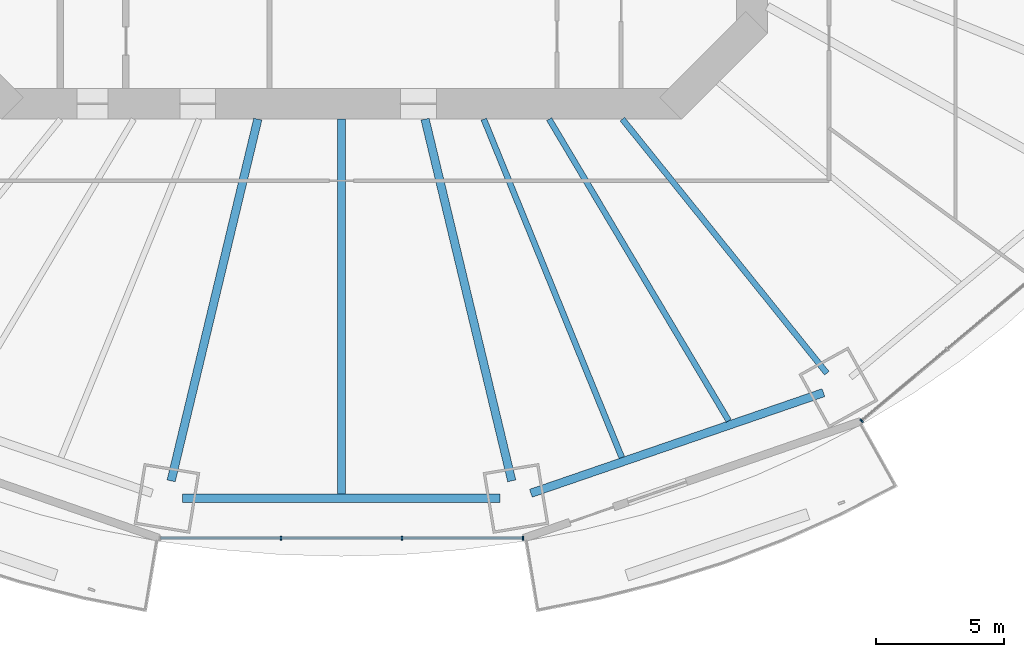
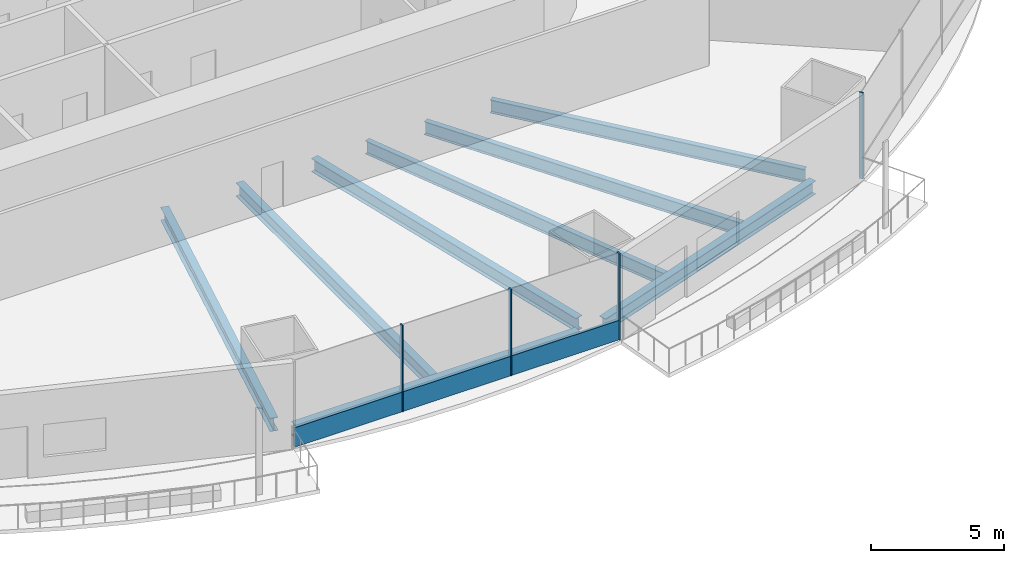
# One storey, part 4 of 23: 8 beams, 5 members, 2 elements without a shape of their own.
"""IFC4 building model written with IfcOpenShell, lengths in metres."""

import ifcopenshell
import ifcopenshell.guid

model = None  # the IFC model being written
_history = None  # IfcOwnerHistory: only IFC2X3 demands one
_inside = {}  # id of a spatial element -> (the spatial element, [elements in it])
_under = {}  # id of a project, library or spatial element -> (it, [spatial elements below it])
_declared = {}  # id of a project -> (the project, [libraries it declares])
_typed = {}  # id of a type object -> (the type object, [elements of that type])
_made_of = {}  # id of a material, layer set ... -> (it, [elements and type objects made of it])


def new_model(schema):
    """Start an empty IFC model of exactly this schema.

    Asked for "IFC4X3", IfcOpenShell would pick the latest addendum, in which some entities
    have other attributes; the version numbers below select the first issue.
    IFC2X3 requires an IfcOwnerHistory on every rooted entity: one is made here for all.
    """
    global model, _history
    if schema == "IFC4X3":
        model = ifcopenshell.file(schema_version=(4, 3, 0, 0))
    else:
        model = ifcopenshell.file(schema=schema)
    _inside.clear()
    _under.clear()
    _declared.clear()
    _typed.clear()
    _made_of.clear()
    _history = None
    if model.schema == "IFC2X3":
        org = make("IfcOrganization", Name="unknown")
        user = make(
            "IfcPersonAndOrganization",
            ThePerson=make("IfcPerson", FamilyName="unknown"),
            TheOrganization=org,
        )
        app = make(
            "IfcApplication",
            ApplicationDeveloper=org,
            Version="unknown",
            ApplicationFullName="unknown",
            ApplicationIdentifier="unknown",
        )
        _history = make(
            "IfcOwnerHistory",
            OwningUser=user,
            OwningApplication=app,
            ChangeAction="ADDED",
            CreationDate=0,
        )
    return model


def make(cls, **values):
    """One entity of the class cls with the attributes given. An attribute that is None is left unset."""
    return model.create_entity(
        cls, **{name: value for name, value in values.items() if value is not None}
    )


def rooted(cls, **values):
    """An entity with a GlobalId (a new one), such as an element, a storey or a relation."""
    return make(cls, GlobalId=ifcopenshell.guid.new(), OwnerHistory=_history, **values)


def si_unit(unit_type, name, prefix=None):
    """IfcSIUnit, for example si_unit("LENGTHUNIT", "METRE", prefix="MILLI")."""
    return make("IfcSIUnit", UnitType=unit_type, Prefix=prefix, Name=name)


def assignment(units):
    """IfcUnitAssignment: the units of a project."""
    return None if units is None else make("IfcUnitAssignment", Units=units)


def point(xyz):
    """IfcCartesianPoint."""
    return None if xyz is None else make("IfcCartesianPoint", Coordinates=xyz)


def direction(xyz):
    """IfcDirection."""
    return None if xyz is None else make("IfcDirection", DirectionRatios=xyz)


def frame(location, z_axis=None, x_axis=None):
    """IfcAxis2Placement3D, a coordinate frame: its origin and axes. An axis left out is left unset."""
    return make(
        "IfcAxis2Placement3D",
        Location=point(location),
        Axis=direction(z_axis),
        RefDirection=direction(x_axis),
    )


def frame_2d(location, x_axis=None):
    """IfcAxis2Placement2D, a coordinate frame in the plane: its origin and x axis."""
    return make(
        "IfcAxis2Placement2D", Location=point(location), RefDirection=direction(x_axis)
    )


def origin():
    """The frame at (0, 0, 0) with its axes left unset."""
    return frame((0.0, 0.0, 0.0))


def origin_2d():
    """The frame at (0, 0) in the plane with its x axis left unset."""
    return frame_2d((0.0, 0.0))


def place(relative_to, where):
    """IfcLocalPlacement: puts the frame where relative to a parent placement (None: the world)."""
    return make(
        "IfcLocalPlacement", PlacementRelTo=relative_to, RelativePlacement=where
    )


def context(
    kind, dimensions, precision=None, world=None, true_north=None, identifier=None
):
    """IfcGeometricRepresentationContext, for example the 3D "Model" context."""
    return make(
        "IfcGeometricRepresentationContext",
        ContextIdentifier=identifier,
        ContextType=kind,
        CoordinateSpaceDimension=dimensions,
        Precision=precision,
        WorldCoordinateSystem=world,
        TrueNorth=true_north,
    )


def subcontext(parent, identifier, kind, view, scale=None):
    """IfcGeometricRepresentationSubContext, for example "Body" below "Model"."""
    return make(
        "IfcGeometricRepresentationSubContext",
        ContextIdentifier=identifier,
        ContextType=kind,
        ParentContext=parent,
        TargetScale=scale,
        TargetView=view,
    )


def project(units=None, contexts=None):
    """IfcProject with its units and contexts."""
    return rooted(
        "IfcProject",
        Name="project",
        RepresentationContexts=contexts,
        UnitsInContext=assignment(units),
    )


def spatial(cls, under=None, at=None, **own):
    """A site, building, storey or space (cls), placed at a placement, below another one or the project."""
    s = rooted(cls, ObjectPlacement=at, **own)
    if under is not None:
        _under.setdefault(under.id(), (under, []))[1].append(s)
    return s


def profile(cls, at=None, kind="AREA", **sizes):
    """A parametric profile (cls). Its sizes go by their IFC names, for example OverallWidth=200.0."""
    return make(cls, ProfileType=kind, Position=at, **sizes)


def rectangle(**sizes):
    """IfcRectangleProfileDef."""
    return profile("IfcRectangleProfileDef", **sizes)


def i_section(**sizes):
    """IfcIShapeProfileDef."""
    return profile("IfcIShapeProfileDef", **sizes)


def extrude(swept, where, along, depth):
    """IfcExtrudedAreaSolid: the profile swept, set in the frame where, extruded along a direction by depth."""
    return make(
        "IfcExtrudedAreaSolid",
        SweptArea=swept,
        Position=where,
        ExtrudedDirection=direction(along),
        Depth=depth,
    )


def shape(context_of_items, identifier, shape_type, items):
    """IfcShapeRepresentation: the items that make up one representation, for example the "Body"."""
    return make(
        "IfcShapeRepresentation",
        ContextOfItems=context_of_items,
        RepresentationIdentifier=identifier,
        RepresentationType=shape_type,
        Items=items,
    )


def material(Name=None, Category=None):
    """IfcMaterial."""
    return make("IfcMaterial", Name=Name, Category=Category)


def material_profile(
    of_material, cross_section, Name=None, Category=None, Priority=None
):
    """IfcMaterialProfile: a cross section and its material."""
    return make(
        "IfcMaterialProfile",
        Name=Name,
        Material=of_material,
        Profile=cross_section,
        Priority=Priority,
        Category=Category,
    )


def profile_set(profiles, Name=None, composite=None):
    """IfcMaterialProfileSet."""
    return make(
        "IfcMaterialProfileSet",
        Name=Name,
        MaterialProfiles=profiles,
        CompositeProfile=composite,
    )


def made_of(thing, what):
    """Note that an element or type object is made of a material, layer set ...; save() writes the relation."""
    if what is not None:
        _made_of.setdefault(what.id(), (what, []))[1].append(thing)
    return thing


def type_object(cls, material=None, **own):
    """A type object (cls), such as IfcWallType, which elements share."""
    return made_of(rooted(cls, **own), material)


def element(
    cls,
    number,
    at=None,
    inside=None,
    cuts=None,
    type_object=None,
    material=None,
    context=None,
    identifier="Body",
    shape_type=None,
    held_by="IfcProductDefinitionShape",
    body=None,
    shapes=None,
    **own,
):
    """One element of the class cls, such as IfcWall. Its Tag is "e" and its number.

    at: its placement. inside: the storey or other place that contains it. cuts: it is an
    opening in that element (IfcRelVoidsElement). A single representation is given by context,
    identifier, shape_type and body (its items); several are given by shapes. held_by: the class
    of the entity that holds the representations. save() writes the other relations.
    """
    e = rooted(cls, Tag="e%d" % number, ObjectPlacement=at, **own)
    if body is not None:
        shapes = [shape(context, identifier, shape_type, body)]
    if shapes is not None:
        e.Representation = make(held_by, Representations=shapes)
    if inside is not None:
        _inside.setdefault(inside.id(), (inside, []))[1].append(e)
    if cuts is not None:
        rooted(
            "IfcRelVoidsElement", RelatingBuildingElement=cuts, RelatedOpeningElement=e
        )
    if type_object is not None:
        _typed.setdefault(type_object.id(), (type_object, []))[1].append(e)
    return made_of(e, material)


def aggregate(whole, parts):
    """IfcRelAggregates: a whole, such as a stair, and the parts it consists of."""
    return rooted("IfcRelAggregates", RelatingObject=whole, RelatedObjects=parts)


def save(model, path):
    """Write the relations noted so far, then the file.

    IfcRelAggregates (storeys below a building ...), IfcRelContainedInSpatialStructure (elements
    in a storey), IfcRelDefinesByType, IfcRelAssociatesMaterial and IfcRelDeclares: one each for
    every whole, place, type object, material and project.
    """
    for whole, parts in _under.values():
        aggregate(whole, parts)
    for where, things in _inside.values():
        rooted(
            "IfcRelContainedInSpatialStructure",
            RelatedElements=things,
            RelatingStructure=where,
        )
    for kind, things in _typed.values():
        rooted("IfcRelDefinesByType", RelatedObjects=things, RelatingType=kind)
    for what, things in _made_of.values():
        rooted("IfcRelAssociatesMaterial", RelatedObjects=things, RelatingMaterial=what)
    for by, libraries in _declared.values():
        rooted("IfcRelDeclares", RelatingContext=by, RelatedDefinitions=libraries)
    model.write(path)


model = new_model("IFC4")

# Units and contexts
model_context = context("Model", 3, precision=1e-05, world=origin(), true_north=direction((0.0, 1.0)))
body_context = subcontext(model_context, "Body", "Model", "MODEL_VIEW")
ifc_project = project(units=[si_unit("LENGTHUNIT", "METRE"), si_unit("AREAUNIT", "SQUARE_METRE"), si_unit("VOLUMEUNIT", "CUBIC_METRE"), si_unit("PLANEANGLEUNIT", "RADIAN"), si_unit("MASSUNIT", "GRAM", prefix="KILO")], contexts=[model_context])

# Site, building, storey
site_placement = place(None, origin())
site = spatial("IfcSite", under=ifc_project, at=site_placement, CompositionType="ELEMENT")
building_placement = place(site_placement, origin())
building = spatial("IfcBuilding", under=site, at=building_placement, Name="Marenthal Gate Tower", CompositionType="ELEMENT")
storey_placement = place(building_placement, frame((0.0, 0.0, 45.449951171875)))
storey = spatial("IfcBuildingStorey", under=building, at=storey_placement, Name="L07", CompositionType="ELEMENT", Elevation=45.449951171875)

# Curtain wall, members
ifc_material_1 = material(Name="Aluminium and glass", Category="aluminium")
curtain_wall_type = type_object("IfcCurtainWallType", Name="Curtain wall typical low", PredefinedType="NOTDEFINED", material=ifc_material_1)
curtain_wall_1_placement = place(storey_placement, origin())
curtain_wall_1 = element("IfcCurtainWall", 1, at=curtain_wall_1_placement, inside=storey, type_object=curtain_wall_type, Name="Curtain wall L07 bay 12", PredefinedType="NOTDEFINED")
ifc_material_2 = material(Name="Aluminium", Category="aluminium")
ifc_material_profile_1 = material_profile(ifc_material_2, rectangle(XDim=0.159912109375, YDim=0.06005859375, at=origin_2d()), Name="60x160 aluminium mullion")
ifc_profile_set_1 = profile_set([ifc_material_profile_1], Name="Aluminium")
member_type_1 = type_object("IfcMemberType", Name="Mullion 60x160 typical low", PredefinedType="MULLION", material=ifc_profile_set_1)
member_1_placement = place(storey_placement, frame((-2.359619140625, -29.9287109375, 0.0), z_axis=(0.0, 0.0, 1.0), x_axis=(0.0, 1.0, 0.0)))
member_1 = element("IfcMember", 2, at=member_1_placement, type_object=member_type_1, Name="Mullion L07 bay 12.2", PredefinedType="MULLION", context=body_context, shape_type="SweptSolid", body=[
    extrude(rectangle(XDim=0.159912109375, YDim=0.06005859375, at=origin_2d()), origin(), (0.0, 0.0, 1.0), 3.969970703125),
])
member_2_placement = place(storey_placement, frame((2.359619140625, -29.9287109375, 0.0), z_axis=(0.0, 0.0, 1.0), x_axis=(0.0, 1.0, 0.0)))
member_2 = element("IfcMember", 3, at=member_2_placement, type_object=member_type_1, Name="Mullion L07 bay 12.3", PredefinedType="MULLION", context=body_context, shape_type="SweptSolid", body=[
    extrude(rectangle(XDim=0.159912109375, YDim=0.06005859375, at=origin_2d()), origin(), (0.0, 0.0, 1.0), 3.969970703125),
])
member_3_placement = place(storey_placement, frame((7.07861328125, -29.9287109375, 0.0), z_axis=(0.0, 0.0, 1.0), x_axis=(0.0, 1.0, 0.0)))
member_3 = element("IfcMember", 4, at=member_3_placement, type_object=member_type_1, Name="Mullion L07 bay 12.4", PredefinedType="MULLION", context=body_context, shape_type="SweptSolid", body=[
    extrude(rectangle(XDim=0.159912109375, YDim=0.06005859375, at=origin_2d()), origin(), (0.0, 0.0, 1.0), 3.969970703125),
])

# Curtain wall, member
curtain_wall_2_placement = place(storey_placement, origin())
curtain_wall_2 = element("IfcCurtainWall", 5, at=curtain_wall_2_placement, inside=storey, type_object=curtain_wall_type, Name="Curtain wall L07 bay 14", PredefinedType="NOTDEFINED")
member_4_placement = place(storey_placement, frame((20.266845703125, -25.35302734375, 0.0), z_axis=(0.0, 0.0, 1.0), x_axis=(-0.642047277641, 0.766665046336, 0.0)))
member_4 = element("IfcMember", 6, at=member_4_placement, type_object=member_type_1, Name="Mullion L07 bay 14.1", PredefinedType="MULLION", context=body_context, shape_type="SweptSolid", body=[
    extrude(rectangle(XDim=0.159912109375, YDim=0.06005859375, at=origin_2d()), origin(), (0.0, 0.0, 1.0), 3.969970703125),
])
aggregate(curtain_wall_2, [member_4])

# Member
ifc_material_3 = material(Name="Aluminium", Category="aluminium")
ifc_material_profile_2 = material_profile(ifc_material_3, rectangle(XDim=0.1201171875, YDim=0.89990234375, at=origin_2d()), Name="120x900 aluminium transom")
ifc_profile_set_2 = profile_set([ifc_material_profile_2], Name="Aluminium")
member_type_2 = type_object("IfcMemberType", Name="Transom 120x900 typical low", PredefinedType="USERDEFINED", material=ifc_profile_set_2)
member_5_placement = place(storey_placement, frame((-7.048583984375, -29.9287109375, 0.449951171875), z_axis=(1.0, 0.0, 0.0), x_axis=(0.0, 1.0, 0.0)))
member_5 = element("IfcMember", 7, at=member_5_placement, type_object=member_type_2, Name="Transom L07 bay 12", ObjectType="TRANSOM", PredefinedType="USERDEFINED", context=body_context, shape_type="SweptSolid", body=[
    extrude(rectangle(XDim=0.1201171875, YDim=0.89990234375, at=origin_2d()), origin(), (0.0, 0.0, 1.0), 14.09716796875),
])

aggregate(curtain_wall_1, [member_1, member_2, member_3, member_5])

# Beams
ifc_material_4 = material(Name="Steel S355", Category="steel")
ifc_material_profile_3 = material_profile(ifc_material_4, i_section(OverallWidth=0.22900390625, OverallDepth=0.612060546875, WebThickness=0.011962890625, FlangeThickness=0.01953125, FilletRadius=0.0126953125, at=origin_2d()), Name="W610X125")
ifc_profile_set_3 = profile_set([ifc_material_profile_3], Name="Steel S355")
beam_type_1 = type_object("IfcBeamType", Name="W610X125 beam", PredefinedType="BEAM", material=ifc_profile_set_3)
beam_1_placement = place(storey_placement, frame((18.916015625, -23.49951171875, -0.48583984375), z_axis=(-0.627042105716, 0.778985364214, 0.0), x_axis=(-0.778985364214, -0.627042105716, 0.0)))
element("IfcBeam", 8, at=beam_1_placement, inside=storey, type_object=beam_type_1, Name="BM-L07-14", PredefinedType="BEAM", context=body_context, shape_type="SweptSolid", body=[
    extrude(i_section(OverallWidth=0.22900390625, OverallDepth=0.612060546875, WebThickness=0.011962890625, FlangeThickness=0.01953125, FilletRadius=0.0126953125, at=origin_2d()), origin(), (0.0, 0.0, 1.0), 12.7080078125),
])
beam_2_placement = place(storey_placement, frame((10.927490234375, -26.7880859375, -0.48583984375), z_axis=(-0.377703578377, 0.925926566679, 0.0), x_axis=(-0.925926566679, -0.377703578377, 0.0)))
element("IfcBeam", 9, at=beam_2_placement, inside=storey, type_object=beam_type_1, Name="BM-L07-35", PredefinedType="BEAM", context=body_context, shape_type="SweptSolid", body=[
    extrude(i_section(OverallWidth=0.22900390625, OverallDepth=0.612060546875, WebThickness=0.011962890625, FlangeThickness=0.01953125, FilletRadius=0.0126953125, at=origin_2d()), origin(), (0.0, 0.0, 1.0), 14.242919921875),
])
beam_3_placement = place(storey_placement, frame((15.0927734375, -25.356201171875, -0.48583984375), z_axis=(-0.511477271469, 0.859296805982, 0.0), x_axis=(-0.859296805982, -0.511477271469, 0.0)))
element("IfcBeam", 10, at=beam_3_placement, inside=storey, type_object=beam_type_1, Name="BM-L07-36", PredefinedType="BEAM", context=body_context, shape_type="SweptSolid", body=[
    extrude(i_section(OverallWidth=0.22900390625, OverallDepth=0.612060546875, WebThickness=0.011962890625, FlangeThickness=0.01953125, FilletRadius=0.0126953125, at=origin_2d()), origin(), (0.0, 0.0, 1.0), 13.68115234375),
])
ifc_material_5 = material(Name="Steel S355", Category="steel")
ifc_material_profile_4 = material_profile(ifc_material_5, i_section(OverallWidth=0.324951171875, OverallDepth=0.612060546875, WebThickness=0.0126953125, FlangeThickness=0.01904296875, FilletRadius=0.0126953125, at=origin_2d()), Name="W610X155")
ifc_profile_set_4 = profile_set([ifc_material_profile_4], Name="Steel S355")
beam_type_2 = type_object("IfcBeamType", Name="W610X155 beam", PredefinedType="BEAM", material=ifc_profile_set_4)
for number, where, z_axis, x_axis, name in (
    (11, (-6.63671875, -27.6953125, -0.48583984375), (0.233035932215, 0.97246812508, 0.0), (-0.97246812508, 0.233035932215, 0.0), "BM-L07-12"),
    (12, (6.63671875, -27.6953125, -0.48583984375), (-0.233035932215, 0.97246812508, 0.0), (-0.97246812508, -0.233035932215, 0.0), "BM-L07-13"),
):
    element("IfcBeam", number, at=place(storey_placement, frame(where, z_axis=z_axis, x_axis=x_axis)), inside=storey, type_object=beam_type_2, Name=name, PredefinedType="BEAM", context=body_context, shape_type="SweptSolid", body=[
        extrude(i_section(OverallWidth=0.324951171875, OverallDepth=0.612060546875, WebThickness=0.0126953125, FlangeThickness=0.01904296875, FilletRadius=0.0126953125, at=origin_2d()), origin(), (0.0, 0.0, 1.0), 14.494384765625),
    ])
beam_4_placement = place(storey_placement, frame((0.0, -28.216552734375, -0.48583984375), z_axis=(0.0, 1.0, 0.0), x_axis=(-1.0, 0.0, 0.0)))
element("IfcBeam", 13, at=beam_4_placement, inside=storey, type_object=beam_type_2, Name="BM-L07-34", PredefinedType="BEAM", context=body_context, shape_type="SweptSolid", body=[
    extrude(i_section(OverallWidth=0.324951171875, OverallDepth=0.612060546875, WebThickness=0.0126953125, FlangeThickness=0.01904296875, FilletRadius=0.0126953125, at=origin_2d()), origin(), (0.0, 0.0, 1.0), 14.616455078125),
])
beam_5_placement = place(storey_placement, frame((-6.185546875, -28.37890625, -0.48583984375), z_axis=(1.0, 0.0, 0.0), x_axis=(0.0, 1.0, 0.0)))
element("IfcBeam", 14, at=beam_5_placement, inside=storey, type_object=beam_type_2, Name="BM-L07-52", PredefinedType="BEAM", context=body_context, shape_type="SweptSolid", body=[
    extrude(i_section(OverallWidth=0.324951171875, OverallDepth=0.612060546875, WebThickness=0.0126953125, FlangeThickness=0.01904296875, FilletRadius=0.0126953125, at=origin_2d()), origin(), (0.0, 0.0, 1.0), 12.37109375),
])
beam_6_placement = place(storey_placement, frame((7.3828125, -28.178955078125, -0.48583984375), z_axis=(0.945659940371, 0.325157311431, 0.0), x_axis=(-0.325157311431, 0.945659940371, 0.0)))
element("IfcBeam", 15, at=beam_6_placement, inside=storey, type_object=beam_type_2, Name="BM-L07-53", PredefinedType="BEAM", context=body_context, shape_type="SweptSolid", body=[
    extrude(i_section(OverallWidth=0.324951171875, OverallDepth=0.612060546875, WebThickness=0.0126953125, FlangeThickness=0.01904296875, FilletRadius=0.0126953125, at=origin_2d()), origin(), (0.0, 0.0, 1.0), 12.0546875),
])

save(model, "model.ifc")
